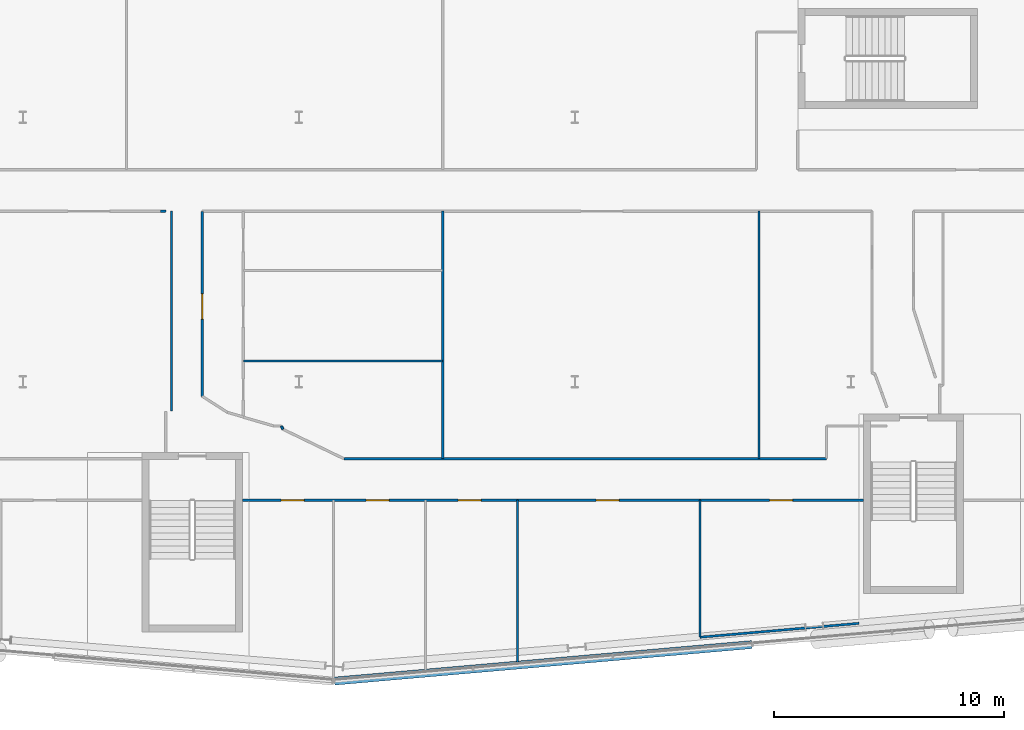
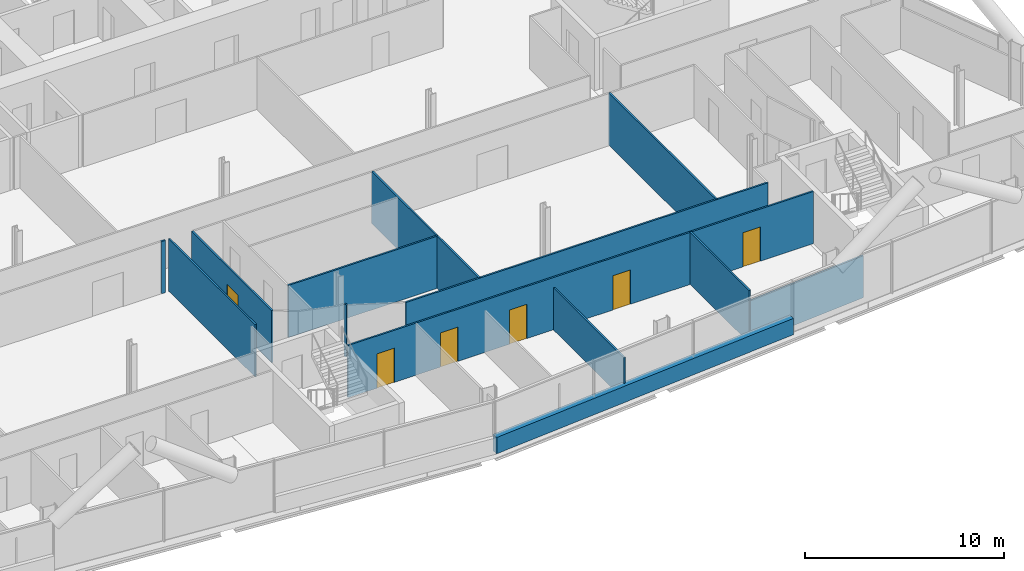
# One storey, part 16 of 27: 13 walls, 6 doors, 6 openings.
"""IFC4 building model written with IfcOpenShell, lengths in metres."""

from ifc_helpers import new_model, si_unit, direction, frame, frame_2d, origin, place, context, subcontext, project, spatial, rectangle, extrude, material, layer, layer_set, type_object, element, fill, save


model = new_model("IFC4")

# Units and contexts
model_context = context("Model", 3, precision=1e-05, world=origin(), true_north=direction((0.0, 1.0)))
body_context = subcontext(model_context, "Body", "Model", "MODEL_VIEW")
ifc_project = project(units=[si_unit("LENGTHUNIT", "METRE"), si_unit("AREAUNIT", "SQUARE_METRE"), si_unit("VOLUMEUNIT", "CUBIC_METRE"), si_unit("PLANEANGLEUNIT", "RADIAN"), si_unit("MASSUNIT", "GRAM", prefix="KILO")], contexts=[model_context])

# Site, building, storey
site_placement = place(None, origin())
site = spatial("IfcSite", under=ifc_project, at=site_placement, CompositionType="ELEMENT")
building_placement = place(site_placement, origin())
building = spatial("IfcBuilding", under=site, at=building_placement, Name="Wharfspan Tower", CompositionType="ELEMENT")
storey_placement = place(building_placement, frame((0.0, 0.0, 136.300049)))
storey = spatial("IfcBuildingStorey", under=building, at=storey_placement, Name="L32", CompositionType="ELEMENT", Elevation=136.300049)

# Walls
ifc_material_1 = material(Name="Gypsum board on steel studs", Category="steel")
ifc_layer_1 = layer(ifc_material_1, 0.100098)
ifc_layer_set_1 = layer_set([ifc_layer_1], Name="Gypsum board on steel studs")
wall_type_1 = type_object("IfcWallType", Name="Compartment wall 100 EI 60", PredefinedType="PARTITIONING", material=ifc_layer_set_1)
wall_1_placement = place(storey_placement, frame((42.209961, 18.909912, 0.0), z_axis=(0.0, 0.0, 1.0), x_axis=(-0.999736, 0.022795, 0.0)))
element("IfcWall", 1, at=wall_1_placement, inside=storey, type_object=wall_type_1, Name="Partition L32.w035", PredefinedType="PARTITIONING", context=body_context, shape_type="SweptSolid", body=[
    extrude(rectangle(XDim=0.224854, YDim=0.100098, at=frame_2d((0.112305, 0.0))), origin(), (0.0, 0.0, 1.0), 3.199951),
])
wall_2_placement = place(storey_placement, frame((42.459961, 10.215088, 0.0), z_axis=(0.0, 0.0, 1.0), x_axis=(0.0, 1.0, 0.0)))
element("IfcWall", 2, at=wall_2_placement, inside=storey, type_object=wall_type_1, Name="Partition L32.w036", PredefinedType="PARTITIONING", context=body_context, shape_type="SweptSolid", body=[
    extrude(rectangle(XDim=8.694824, YDim=0.100098, at=frame_2d((4.347412, 0.0))), origin(), (0.0, 0.0, 1.0), 3.199951),
])

# Wall, opening, door
wall_3_placement = place(storey_placement, frame((43.794922, 10.86499, 0.0), z_axis=(0.0, 0.0, 1.0), x_axis=(0.0, 1.0, 0.0)))
wall_3 = element("IfcWall", 3, at=wall_3_placement, inside=storey, type_object=wall_type_1, Name="Partition L32.w037", PredefinedType="PARTITIONING", context=body_context, shape_type="SweptSolid", body=[
    extrude(rectangle(XDim=8.040039, YDim=0.100098, at=frame_2d((4.02002, 0.0))), origin(), (0.0, 0.0, 1.0), 3.199951),
])
opening_1_placement = place(wall_3_placement, frame((3.356201, 0.0, 0.0)))
opening_1 = element("IfcOpeningElement", 4, at=opening_1_placement, cuts=wall_3, Name="Opening B5-18", PredefinedType="OPENING", context=body_context, shape_type="SweptSolid", body=[
    extrude(rectangle(XDim=1.100098, YDim=2.100098, at=frame_2d((0.550049, 1.050049))), frame((0.0, 0.060059, 0.0), z_axis=(0.0, -1.0, 0.0), x_axis=(1.0, 0.0, 0.0)), (0.0, 0.0, 1.0), 0.120117),
])
ifc_material_2 = material(Name="Fire-rated timber door leaf in steel frame", Category="steel")
door_type_1 = type_object("IfcDoorType", Name="Door 1100 FD30S Left", OperationType="SINGLE_SWING_LEFT", PredefinedType="DOOR", material=ifc_material_2)
door_1_placement = place(opening_1_placement, origin())
door_1 = element("IfcDoor", 5, at=door_1_placement, inside=storey, type_object=door_type_1, Name="Door B5-18", OperationType="SINGLE_SWING_LEFT", OverallHeight=2.100098, OverallWidth=1.100098, PredefinedType="DOOR", context=body_context, shape_type="SweptSolid", body=[
    extrude(rectangle(XDim=1.100098, YDim=2.100098, at=frame_2d((0.550049, 1.050049))), frame((0.0, 0.024902, 0.0), z_axis=(0.0, -1.0, 0.0), x_axis=(1.0, 0.0, 0.0)), (0.0, 0.0, 1.0), 0.050049),
])
fill(opening_1, door_1)

# Wall, openings, doors
wall_4_placement = place(storey_placement, frame((45.5354, 6.344971, 0.0), z_axis=(0.0, 0.0, 1.0), x_axis=(1.0, 0.0, 0.0)))
wall_4 = element("IfcWall", 6, at=wall_4_placement, inside=storey, type_object=wall_type_1, Name="Partition L32.w040", PredefinedType="PARTITIONING", context=body_context, shape_type="SweptSolid", body=[
    extrude(rectangle(XDim=27.005615, YDim=0.100098, at=frame_2d((13.50293, 0.0))), origin(), (0.0, 0.0, 1.0), 3.199951),
])
opening_2_placement = place(wall_4_placement, frame((1.69458, 0.0, 0.0)))
opening_2 = element("IfcOpeningElement", 7, at=opening_2_placement, cuts=wall_4, Name="Opening B5-07", PredefinedType="OPENING", context=body_context, shape_type="SweptSolid", body=[
    extrude(rectangle(XDim=1.0, YDim=2.100098, at=frame_2d((0.5, 1.050049))), frame((0.0, 0.060059, 0.0), z_axis=(0.0, -1.0, 0.0), x_axis=(1.0, 0.0, 0.0)), (0.0, 0.0, 1.0), 0.120117),
])
opening_3_placement = place(wall_4_placement, frame((5.384766, 0.0, 0.0)))
opening_3 = element("IfcOpeningElement", 8, at=opening_3_placement, cuts=wall_4, Name="Opening B5-08", PredefinedType="OPENING", context=body_context, shape_type="SweptSolid", body=[
    extrude(rectangle(XDim=1.0, YDim=2.100098, at=frame_2d((0.5, 1.050049))), frame((0.0, 0.060059, 0.0), z_axis=(0.0, -1.0, 0.0), x_axis=(1.0, 0.0, 0.0)), (0.0, 0.0, 1.0), 0.120117),
])
opening_4_placement = place(wall_4_placement, frame((9.384766, 0.0, 0.0)))
opening_4 = element("IfcOpeningElement", 9, at=opening_4_placement, cuts=wall_4, Name="Opening B5-09", PredefinedType="OPENING", context=body_context, shape_type="SweptSolid", body=[
    extrude(rectangle(XDim=1.0, YDim=2.100098, at=frame_2d((0.5, 1.050049))), frame((0.0, 0.060059, 0.0), z_axis=(0.0, -1.0, 0.0), x_axis=(1.0, 0.0, 0.0)), (0.0, 0.0, 1.0), 0.120117),
])
opening_5_placement = place(wall_4_placement, frame((15.384766, 0.0, 0.0)))
opening_5 = element("IfcOpeningElement", 10, at=opening_5_placement, cuts=wall_4, Name="Opening B5-10", PredefinedType="OPENING", context=body_context, shape_type="SweptSolid", body=[
    extrude(rectangle(XDim=1.0, YDim=2.100098, at=frame_2d((0.5, 1.050049))), frame((0.0, 0.060059, 0.0), z_axis=(0.0, -1.0, 0.0), x_axis=(1.0, 0.0, 0.0)), (0.0, 0.0, 1.0), 0.120117),
])
opening_6_placement = place(wall_4_placement, frame((22.924805, 0.0, 0.0)))
opening_6 = element("IfcOpeningElement", 11, at=opening_6_placement, cuts=wall_4, Name="Opening B5-11", PredefinedType="OPENING", context=body_context, shape_type="SweptSolid", body=[
    extrude(rectangle(XDim=1.0, YDim=2.100098, at=frame_2d((0.5, 1.050049))), frame((0.0, 0.060059, 0.0), z_axis=(0.0, -1.0, 0.0), x_axis=(1.0, 0.0, 0.0)), (0.0, 0.0, 1.0), 0.120117),
])
door_type_2 = type_object("IfcDoorType", Name="Door 1000 FD30S Left", OperationType="SINGLE_SWING_LEFT", PredefinedType="DOOR", material=ifc_material_2)
door_2_placement = place(opening_2_placement, origin())
door_2 = element("IfcDoor", 12, at=door_2_placement, inside=storey, type_object=door_type_2, Name="Door B5-07", OperationType="SINGLE_SWING_LEFT", OverallHeight=2.100098, OverallWidth=1.0, PredefinedType="DOOR", context=body_context, shape_type="SweptSolid", body=[
    extrude(rectangle(XDim=1.0, YDim=2.100098, at=frame_2d((0.5, 1.050049))), frame((0.0, 0.024902, 0.0), z_axis=(0.0, -1.0, 0.0), x_axis=(1.0, 0.0, 0.0)), (0.0, 0.0, 1.0), 0.050049),
])
fill(opening_2, door_2)
door_3_placement = place(opening_3_placement, origin())
door_3 = element("IfcDoor", 13, at=door_3_placement, inside=storey, type_object=door_type_2, Name="Door B5-08", OperationType="SINGLE_SWING_LEFT", OverallHeight=2.100098, OverallWidth=1.0, PredefinedType="DOOR", context=body_context, shape_type="SweptSolid", body=[
    extrude(rectangle(XDim=1.0, YDim=2.100098, at=frame_2d((0.5, 1.050049))), frame((0.0, 0.024902, 0.0), z_axis=(0.0, -1.0, 0.0), x_axis=(1.0, 0.0, 0.0)), (0.0, 0.0, 1.0), 0.050049),
])
fill(opening_3, door_3)
door_4_placement = place(opening_4_placement, origin())
door_4 = element("IfcDoor", 14, at=door_4_placement, inside=storey, type_object=door_type_2, Name="Door B5-09", OperationType="SINGLE_SWING_LEFT", OverallHeight=2.100098, OverallWidth=1.0, PredefinedType="DOOR", context=body_context, shape_type="SweptSolid", body=[
    extrude(rectangle(XDim=1.0, YDim=2.100098, at=frame_2d((0.5, 1.050049))), frame((0.0, 0.024902, 0.0), z_axis=(0.0, -1.0, 0.0), x_axis=(1.0, 0.0, 0.0)), (0.0, 0.0, 1.0), 0.050049),
])
fill(opening_4, door_4)
door_type_3 = type_object("IfcDoorType", Name="Door 1000 FD30S Right", OperationType="SINGLE_SWING_RIGHT", PredefinedType="DOOR", material=ifc_material_2)
door_5_placement = place(opening_5_placement, origin())
door_5 = element("IfcDoor", 15, at=door_5_placement, inside=storey, type_object=door_type_3, Name="Door B5-10", OperationType="SINGLE_SWING_RIGHT", OverallHeight=2.100098, OverallWidth=1.0, PredefinedType="DOOR", context=body_context, shape_type="SweptSolid", body=[
    extrude(rectangle(XDim=1.0, YDim=2.100098, at=frame_2d((0.5, 1.050049))), frame((0.0, 0.024902, 0.0), z_axis=(0.0, -1.0, 0.0), x_axis=(1.0, 0.0, 0.0)), (0.0, 0.0, 1.0), 0.050049),
])
fill(opening_5, door_5)
door_6_placement = place(opening_6_placement, origin())
door_6 = element("IfcDoor", 16, at=door_6_placement, inside=storey, type_object=door_type_3, Name="Door B5-11", OperationType="SINGLE_SWING_RIGHT", OverallHeight=2.100098, OverallWidth=1.0, PredefinedType="DOOR", context=body_context, shape_type="SweptSolid", body=[
    extrude(rectangle(XDim=1.0, YDim=2.100098, at=frame_2d((0.5, 1.050049))), frame((0.0, 0.024902, 0.0), z_axis=(0.0, -1.0, 0.0), x_axis=(1.0, 0.0, 0.0)), (0.0, 0.0, 1.0), 0.050049),
])
fill(opening_6, door_6)

# Walls
wall_5_placement = place(storey_placement, frame((47.304932, 9.429932, 0.0), z_axis=(0.0, 0.0, 1.0), x_axis=(-0.459377, 0.888236, 0.0)))
element("IfcWall", 17, at=wall_5_placement, inside=storey, type_object=wall_type_1, Name="Partition L32.w047", PredefinedType="PARTITIONING", context=body_context, shape_type="SweptSolid", body=[
    extrude(rectangle(XDim=0.1521, YDim=0.100098, at=frame_2d((0.076172, 0.0))), origin(), (0.0, 0.0, 1.0), 3.199951),
])
wall_6_placement = place(storey_placement, frame((49.955078, 8.149902, 0.0), z_axis=(0.0, 0.0, 1.0), x_axis=(1.0, 0.0, 0.0)))
element("IfcWall", 18, at=wall_6_placement, inside=storey, type_object=wall_type_1, Name="Partition L32.w050", PredefinedType="PARTITIONING", context=body_context, shape_type="SweptSolid", body=[
    extrude(rectangle(XDim=20.984863, YDim=0.100098, at=frame_2d((10.492432, 0.0))), origin(), (0.0, 0.0, 1.0), 3.199951),
])
wall_7_placement = place(storey_placement, frame((54.25, 8.149902, 0.0), z_axis=(0.0, 0.0, 1.0), x_axis=(0.0, 1.0, 0.0)))
element("IfcWall", 19, at=wall_7_placement, inside=storey, type_object=wall_type_1, Name="Partition L32.w052", PredefinedType="PARTITIONING", context=body_context, shape_type="SweptSolid", body=[
    extrude(rectangle(XDim=10.765137, YDim=0.100098, at=frame_2d((5.382568, 0.0))), origin(), (0.0, 0.0, 1.0), 3.199951),
])
wall_8_placement = place(storey_placement, frame((57.5, -0.79834, 0.0), z_axis=(0.0, 0.0, 1.0), x_axis=(0.0, 1.0, 0.0)))
element("IfcWall", 20, at=wall_8_placement, inside=storey, type_object=wall_type_1, Name="Partition L32.w054", PredefinedType="PARTITIONING", context=body_context, shape_type="SweptSolid", body=[
    extrude(rectangle(XDim=7.143311, YDim=0.100098, at=frame_2d((3.571777, 0.0))), origin(), (0.0, 0.0, 1.0), 2.579834),
])
wall_9_placement = place(storey_placement, frame((65.439941, 0.389893, 0.0), z_axis=(0.0, 0.0, 1.0), x_axis=(0.0, 1.0, 0.0)))
element("IfcWall", 21, at=wall_9_placement, inside=storey, type_object=wall_type_1, Name="Partition L32.w057", PredefinedType="PARTITIONING", context=body_context, shape_type="SweptSolid", body=[
    extrude(rectangle(XDim=5.955078, YDim=0.100098, at=frame_2d((2.977539, 0.0))), origin(), (0.0, 0.0, 1.0), 3.199951),
])
wall_10_placement = place(storey_placement, frame((68.0, 8.149902, 0.0), z_axis=(0.0, 0.0, 1.0), x_axis=(0.0, 1.0, 0.0)))
element("IfcWall", 22, at=wall_10_placement, inside=storey, type_object=wall_type_1, Name="Partition L32.w060", PredefinedType="PARTITIONING", context=body_context, shape_type="SweptSolid", body=[
    extrude(rectangle(XDim=10.765137, YDim=0.100098, at=frame_2d((5.382568, 0.0))), origin(), (0.0, 0.0, 1.0), 3.199951),
])
ifc_layer_2 = layer(ifc_material_1, 0.100098)
ifc_layer_set_2 = layer_set([ifc_layer_2], Name="Gypsum board on steel studs")
wall_type_2 = type_object("IfcWallType", Name="Partition 100", PredefinedType="PARTITIONING", material=ifc_layer_set_2)
wall_11_placement = place(storey_placement, frame((45.584961, 12.399902, 0.0), z_axis=(0.0, 0.0, 1.0), x_axis=(1.0, 0.0, 0.0)))
element("IfcWall", 23, at=wall_11_placement, inside=storey, type_object=wall_type_2, Name="Partition L32.w042", PredefinedType="PARTITIONING", context=body_context, shape_type="SweptSolid", body=[
    extrude(rectangle(XDim=8.665039, YDim=0.100098, at=frame_2d((4.33252, 0.0))), origin(), (0.0, 0.0, 1.0), 3.199951),
])
wall_12_placement = place(storey_placement, frame((65.439941, 0.389893, 0.0), z_axis=(0.0, 0.0, 1.0), x_axis=(0.996218, 0.086937, 0.0)))
element("IfcWall", 24, at=wall_12_placement, inside=storey, type_object=wall_type_2, Name="Partition L32.w056", PredefinedType="PARTITIONING", context=body_context, shape_type="SweptSolid", body=[
    extrude(rectangle(XDim=6.930664, YDim=0.100098, at=frame_2d((3.465332, 0.0))), origin(), (0.0, 0.0, 1.0), 2.579834),
])
ifc_material_3 = material(Name="Concrete C40/50", Category="concrete")
ifc_layer_3 = layer(ifc_material_3, 0.350098)
ifc_layer_set_3 = layer_set([ifc_layer_3], Name="Concrete C40/50")
wall_type_3 = type_object("IfcWallType", Name="SPANDREL EXPOSED CONCRETE 350", PredefinedType="SOLIDWALL", material=ifc_layer_set_3)
wall_13_placement = place(storey_placement, frame((49.54541, -1.519287, 0.0), z_axis=(0.0, 0.0, 1.0), x_axis=(0.996191, 0.087151, 0.0)))
element("IfcWall", 25, at=wall_13_placement, inside=storey, type_object=wall_type_3, Name="Spandrel upstand L32 S2 1", PredefinedType="SOLIDWALL", context=body_context, shape_type="SweptSolid", body=[
    extrude(rectangle(XDim=18.20874, YDim=0.350098, at=frame_2d((9.104492, 0.0))), origin(), (0.0, 0.0, 1.0), 1.0),
])

save(model, "model.ifc")
